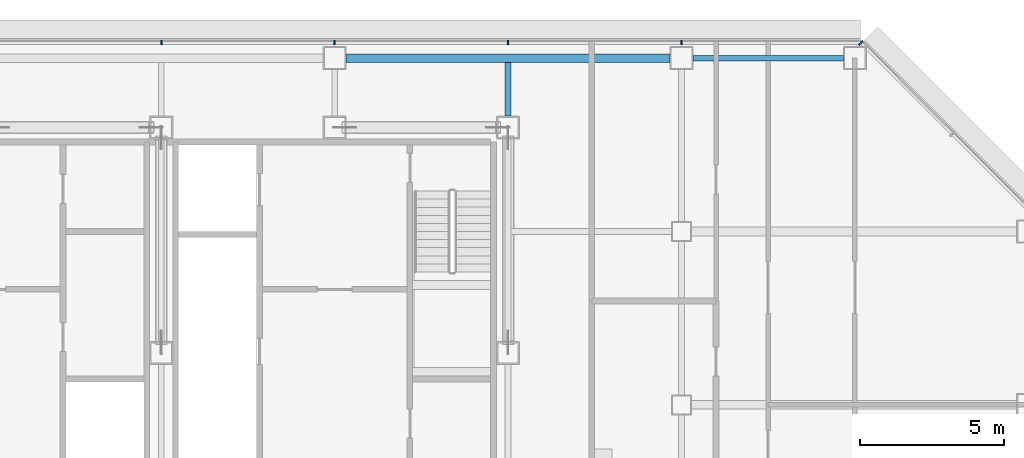
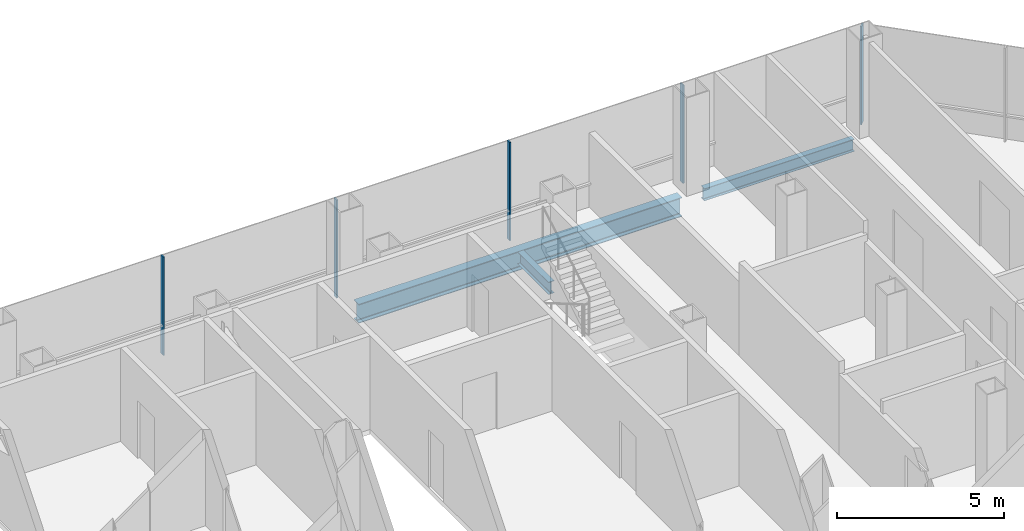
# One storey, part 14 of 25: 5 members, 3 beams, 2 elements without a shape of their own.
"""IFC4 building model written with IfcOpenShell, lengths in metres."""

from ifc_helpers import new_model, si_unit, direction, frame, origin, origin_2d, place, context, subcontext, project, spatial, rectangle, i_section, extrude, material, material_profile, profile_set, type_object, element, aggregate, save


model = new_model("IFC4")

# Units and contexts
model_context = context("Model", 3, precision=1e-05, world=origin(), true_north=direction((0.0, 1.0)))
body_context = subcontext(model_context, "Body", "Model", "MODEL_VIEW")
ifc_project = project(units=[si_unit("LENGTHUNIT", "METRE"), si_unit("AREAUNIT", "SQUARE_METRE"), si_unit("VOLUMEUNIT", "CUBIC_METRE"), si_unit("PLANEANGLEUNIT", "RADIAN"), si_unit("MASSUNIT", "GRAM", prefix="KILO")], contexts=[model_context])

# Site, building, storey
site_placement = place(None, origin())
site = spatial("IfcSite", under=ifc_project, at=site_placement, CompositionType="ELEMENT")
building_placement = place(site_placement, origin())
building = spatial("IfcBuilding", under=site, at=building_placement, Name="Sorahane Residences", CompositionType="ELEMENT")
storey_placement = place(building_placement, frame((0.0, 0.0, 126.800048828125)))
storey = spatial("IfcBuildingStorey", under=building, at=storey_placement, Name="L28", CompositionType="ELEMENT", Elevation=126.800048828125)

# Curtain wall, members
ifc_material_1 = material(Name="Dark low-e glass and black anodised aluminium", Category="aluminium")
curtain_wall_type_1 = type_object("IfcCurtainWallType", Name="Curtain wall CW-1 Typical unitised wall", PredefinedType="NOTDEFINED", material=ifc_material_1)
curtain_wall_1_placement = place(storey_placement, origin())
curtain_wall_1 = element("IfcCurtainWall", 1, at=curtain_wall_1_placement, inside=storey, type_object=curtain_wall_type_1, Name="CW-1 curtain wall L28 N1", PredefinedType="NOTDEFINED")
ifc_material_2 = material(Name="Black anodised aluminium", Category="aluminium")
ifc_material_profile_1 = material_profile(ifc_material_2, rectangle(XDim=0.159912109375, YDim=0.050048828125, at=origin_2d()), Name="Curtain wall mullion CW-1 black anodised aluminium 50x160")
ifc_profile_set_1 = profile_set([ifc_material_profile_1], Name="Black anodised aluminium")
member_type_1 = type_object("IfcMemberType", Name="Curtain wall mullion CW-1 black anodised aluminium 50x160", PredefinedType="MULLION", material=ifc_profile_set_1)
member_1_placement = place(storey_placement, frame((48.0, 48.5400390625, -0.179931640625), z_axis=(0.0, 0.0, 1.0), x_axis=(0.0, 1.0, 0.0)))
member_1 = element("IfcMember", 2, at=member_1_placement, type_object=member_type_1, Name="CW-1 mullion L28 N1.2", PredefinedType="MULLION", context=body_context, shape_type="SweptSolid", body=[
    extrude(rectangle(XDim=0.159912109375, YDim=0.050048828125, at=origin_2d()), origin(), (0.0, 0.0, 1.0), 3.599853515625),
])
member_2_placement = place(storey_placement, frame((42.0, 48.5400390625, -0.179931640625), z_axis=(0.0, 0.0, 1.0), x_axis=(0.0, 1.0, 0.0)))
member_2 = element("IfcMember", 3, at=member_2_placement, type_object=member_type_1, Name="CW-1 mullion L28 N1.3", PredefinedType="MULLION", context=body_context, shape_type="SweptSolid", body=[
    extrude(rectangle(XDim=0.159912109375, YDim=0.050048828125, at=origin_2d()), origin(), (0.0, 0.0, 1.0), 3.599853515625),
])
member_3_placement = place(storey_placement, frame((36.0, 48.5400390625, -0.179931640625), z_axis=(0.0, 0.0, 1.0), x_axis=(0.0, 1.0, 0.0)))
member_3 = element("IfcMember", 4, at=member_3_placement, type_object=member_type_1, Name="CW-1 mullion L28 N1.4", PredefinedType="MULLION", context=body_context, shape_type="SweptSolid", body=[
    extrude(rectangle(XDim=0.159912109375, YDim=0.050048828125, at=origin_2d()), origin(), (0.0, 0.0, 1.0), 3.599853515625),
])
member_4_placement = place(storey_placement, frame((30.0, 48.5400390625, -0.179931640625), z_axis=(0.0, 0.0, 1.0), x_axis=(0.0, 1.0, 0.0)))
member_4 = element("IfcMember", 5, at=member_4_placement, type_object=member_type_1, Name="CW-1 mullion L28 N1.5", PredefinedType="MULLION", context=body_context, shape_type="SweptSolid", body=[
    extrude(rectangle(XDim=0.159912109375, YDim=0.050048828125, at=origin_2d()), origin(), (0.0, 0.0, 1.0), 3.599853515625),
])
aggregate(curtain_wall_1, [member_1, member_2, member_3, member_4])

# Curtain wall, member
ifc_material_3 = material(Name="Dark low-e glass and black anodised aluminium", Category="aluminium")
curtain_wall_type_2 = type_object("IfcCurtainWallType", Name="Curtain wall CW-2 Chamfer unitised wall", PredefinedType="NOTDEFINED", material=ifc_material_3)
curtain_wall_2_placement = place(storey_placement, origin())
curtain_wall_2 = element("IfcCurtainWall", 6, at=curtain_wall_2_placement, inside=storey, type_object=curtain_wall_type_2, Name="CW-2 curtain wall L28 NE1", PredefinedType="NOTDEFINED")
ifc_material_4 = material(Name="Black anodised aluminium", Category="aluminium")
ifc_material_profile_2 = material_profile(ifc_material_4, rectangle(XDim=0.199951171875, YDim=0.050048828125, at=origin_2d()), Name="Curtain wall mullion CW-2 black anodised aluminium 50x200")
ifc_profile_set_2 = profile_set([ifc_material_profile_2], Name="Black anodised aluminium")
member_type_2 = type_object("IfcMemberType", Name="Curtain wall mullion CW-2 black anodised aluminium 50x200", PredefinedType="MULLION", material=ifc_profile_set_2)
member_5_placement = place(storey_placement, frame((54.209716796875, 48.525634765625, -0.179931640625), z_axis=(0.0, 0.0, 1.0), x_axis=(0.707106781187, 0.707106781187, 0.0)))
member_5 = element("IfcMember", 7, at=member_5_placement, type_object=member_type_2, Name="CW-2 mullion L28 NE1.3", PredefinedType="MULLION", context=body_context, shape_type="SweptSolid", body=[
    extrude(rectangle(XDim=0.199951171875, YDim=0.050048828125, at=origin_2d()), origin(), (0.0, 0.0, 1.0), 3.599853515625),
])
aggregate(curtain_wall_2, [member_5])

# Beams
ifc_material_5 = material(Name="Steel Q355B", Category="steel")
ifc_material_profile_3 = material_profile(ifc_material_5, i_section(OverallWidth=0.199951171875, OverallDepth=0.449951171875, WebThickness=0.009033203125, FlangeThickness=0.013916015625, FilletRadius=0.02001953125, at=origin_2d()), Name="HN 450x200x9x14")
ifc_profile_set_3 = profile_set([ifc_material_profile_3], Name="Steel Q355B")
beam_type_1 = type_object("IfcBeamType", Name="Steel floor beam HN 450x200x9x14 Q355B", PredefinedType="BEAM", material=ifc_profile_set_3)
beam_1_placement = place(storey_placement, frame((48.39990234375, 48.0, -0.405029296875), z_axis=(1.0, 0.0, 0.0), x_axis=(0.0, 1.0, 0.0)))
element("IfcBeam", 8, at=beam_1_placement, inside=storey, type_object=beam_type_1, Name="Beam L28 019", PredefinedType="BEAM", context=body_context, shape_type="SweptSolid", body=[
    extrude(i_section(OverallWidth=0.199951171875, OverallDepth=0.449951171875, WebThickness=0.009033203125, FlangeThickness=0.013916015625, FilletRadius=0.02001953125, at=origin_2d()), origin(), (0.0, 0.0, 1.0), 5.2001953125),
])
beam_2_placement = place(storey_placement, frame((42.0, 46.0, -0.405029296875), z_axis=(0.0, 1.0, 0.0), x_axis=(-1.0, 0.0, 0.0)))
element("IfcBeam", 9, at=beam_2_placement, inside=storey, type_object=beam_type_1, Name="Beam L28 057", PredefinedType="BEAM", context=body_context, shape_type="SweptSolid", body=[
    extrude(i_section(OverallWidth=0.199951171875, OverallDepth=0.449951171875, WebThickness=0.009033203125, FlangeThickness=0.013916015625, FilletRadius=0.02001953125, at=origin_2d()), origin(), (0.0, 0.0, 1.0), 1.85009765625),
])
ifc_material_6 = material(Name="Steel Q355B", Category="steel")
ifc_material_profile_4 = material_profile(ifc_material_6, i_section(OverallWidth=0.300048828125, OverallDepth=0.699951171875, WebThickness=0.012939453125, FlangeThickness=0.02392578125, FilletRadius=0.028076171875, at=origin_2d()), Name="HN 700x300x13x24")
ifc_profile_set_4 = profile_set([ifc_material_profile_4], Name="Steel Q355B")
beam_type_2 = type_object("IfcBeamType", Name="Steel floor beam HN 700x300x13x24 Q355B", PredefinedType="BEAM", material=ifc_profile_set_4)
beam_3_placement = place(storey_placement, frame((36.39990234375, 48.0, -0.530029296875), z_axis=(1.0, 0.0, 0.0), x_axis=(0.0, 1.0, 0.0)))
element("IfcBeam", 10, at=beam_3_placement, inside=storey, type_object=beam_type_2, Name="Beam L28 018", PredefinedType="BEAM", context=body_context, shape_type="SweptSolid", body=[
    extrude(i_section(OverallWidth=0.300048828125, OverallDepth=0.699951171875, WebThickness=0.012939453125, FlangeThickness=0.02392578125, FilletRadius=0.028076171875, at=origin_2d()), origin(), (0.0, 0.0, 1.0), 11.2001953125),
])

save(model, "model.ifc")
